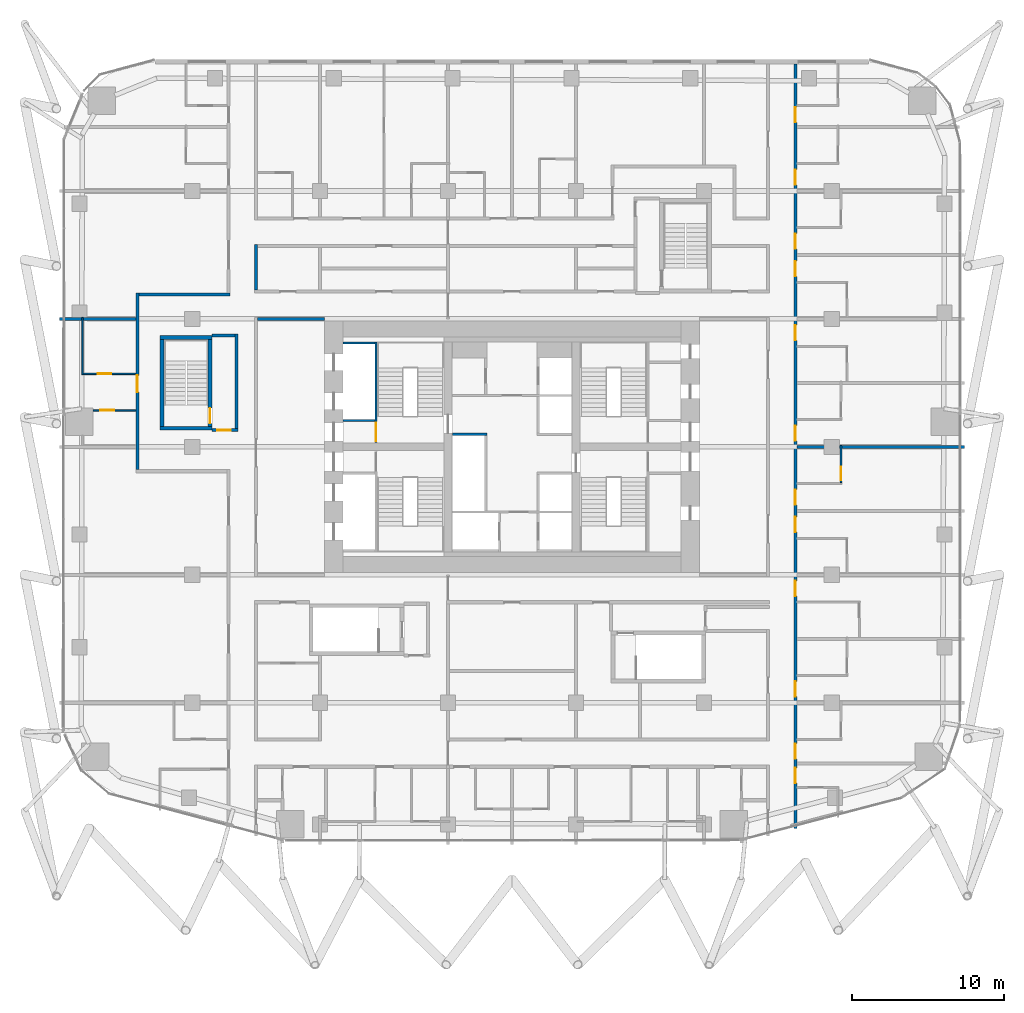
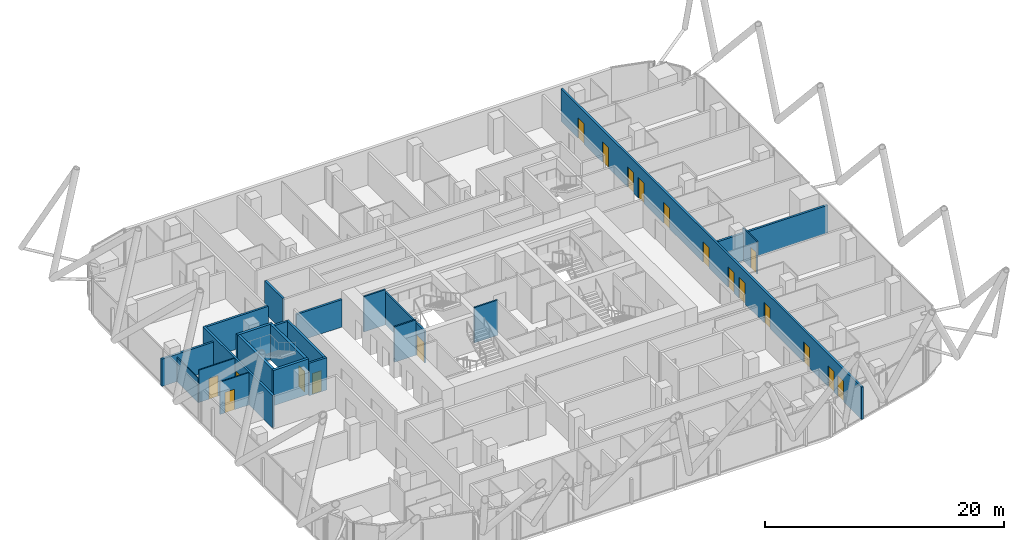
# One storey, part 31 of 36: 22 walls, 19 doors, 19 openings.
"""IFC4 building model written with IfcOpenShell, lengths in metres."""

from ifc_helpers import new_model, si_unit, direction, frame, frame_2d, origin, place, context, subcontext, project, spatial, rectangle, extrude, material, layer, layer_set, type_object, element, fill, save


model = new_model("IFC4")

# Units and contexts
model_context = context("Model", 3, precision=1e-05, world=origin(), true_north=direction((0.0, 1.0)))
body_context = subcontext(model_context, "Body", "Model", "MODEL_VIEW")
ifc_project = project(units=[si_unit("LENGTHUNIT", "METRE"), si_unit("AREAUNIT", "SQUARE_METRE"), si_unit("VOLUMEUNIT", "CUBIC_METRE"), si_unit("PLANEANGLEUNIT", "RADIAN"), si_unit("MASSUNIT", "GRAM", prefix="KILO")], contexts=[model_context])

# Site, building, storey
site_placement = place(None, origin())
site = spatial("IfcSite", under=ifc_project, at=site_placement, CompositionType="ELEMENT")
building_placement = place(site_placement, origin())
building = spatial("IfcBuilding", under=site, at=building_placement, Name="Marenta Gate Hotel Tower", CompositionType="ELEMENT")
storey_placement = place(building_placement, frame((0.0, 0.0, 83.300048828125)))
storey = spatial("IfcBuildingStorey", under=building, at=storey_placement, Name="L19", CompositionType="ELEMENT", Elevation=83.300048828125)

# Walls
ifc_material_1 = material(Name="Concrete blockwork", Category="masonry")
ifc_layer_1 = layer(ifc_material_1, 0.199951171875)
ifc_layer_set_1 = layer_set([ifc_layer_1], Name="Concrete blockwork")
wall_type_1 = type_object("IfcWallType", Name="Core boundary wall 200 REI 180", PredefinedType="PARTITIONING", material=ifc_layer_set_1)
wall_1_placement = place(storey_placement, frame((-16.699951171875, 16.800048828125, 0.0), z_axis=(0.0, 0.0, 1.0), x_axis=(1.0, 0.0, 0.0)))
element("IfcWall", 1, at=wall_1_placement, inside=storey, type_object=wall_type_1, Name="L19-CP-EW-WN", PredefinedType="PARTITIONING", context=body_context, shape_type="SweptSolid", body=[
    extrude(rectangle(XDim=4.39990234375, YDim=0.199951171875, at=frame_2d((2.199951171875, 0.0))), origin(), (0.0, 0.0, 1.0), 2.800048828125),
])
ifc_material_2 = material(Name="Concrete C40", Category="concrete")
ifc_layer_2 = layer(ifc_material_2, 0.14990234375)
ifc_layer_set_2 = layer_set([ifc_layer_2], Name="Concrete C40")
wall_type_2 = type_object("IfcWallType", Name="Core shaft wall 150 REI 180", PredefinedType="SHEAR", material=ifc_layer_set_2)
for number, where, z_axis, x_axis, name in (
    (2, (-11.10009765625, 10.125, 0.0), (0.0, 0.0, 1.0), (1.0, 0.0, 0.0), "L19-SHF-SW-WN-2"),
    (3, (-11.10009765625, 15.22509765625, 0.0), (0.0, 0.0, 1.0), (1.0, 0.0, 0.0), "L19-SHF-SW-WN-5"),
):
    element("IfcWall", number, at=place(storey_placement, frame(where, z_axis=z_axis, x_axis=x_axis)), inside=storey, type_object=wall_type_2, Name=name, PredefinedType="SHEAR", context=body_context, shape_type="SweptSolid", body=[
        extrude(rectangle(XDim=2.10009765625, YDim=0.14990234375, at=frame_2d((1.050048828125, 0.0))), origin(), (0.0, 0.0, 1.0), 3.599853515625),
    ])
wall_2_placement = place(storey_placement, frame((-3.89990234375, 9.22509765625, 0.0), z_axis=(0.0, 0.0, 1.0), x_axis=(1.0, 0.0, 0.0)))
element("IfcWall", 4, at=wall_2_placement, inside=storey, type_object=wall_type_2, Name="L19-SHF-CW-W-sep", PredefinedType="SHEAR", context=body_context, shape_type="SweptSolid", body=[
    extrude(rectangle(XDim=2.25, YDim=0.14990234375, at=frame_2d((1.125, 0.0))), origin(), (0.0, 0.0, 1.0), 3.599853515625),
])

# Wall, opening, door
ifc_material_3 = material(Name="Concrete C40", Category="concrete")
ifc_layer_3 = layer(ifc_material_3, 0.14990234375)
ifc_layer_set_3 = layer_set([ifc_layer_3], Name="Concrete C40")
wall_type_3 = type_object("IfcWallType", Name="Core stair enclosure wall 150 REI 180", PredefinedType="SHEAR", material=ifc_layer_set_3)
wall_3_placement = place(storey_placement, frame((-8.925048828125, 8.699951171875, 0.0), z_axis=(0.0, 0.0, 1.0), x_axis=(0.0, 1.0, 0.0)))
wall_3 = element("IfcWall", 5, at=wall_3_placement, inside=storey, type_object=wall_type_3, Name="L19-SHF-SW-WN-3", PredefinedType="SHEAR", context=body_context, shape_type="SweptSolid", body=[
    extrude(rectangle(XDim=6.60009765625, YDim=0.14990234375, at=frame_2d((3.300048828125, 0.0))), origin(), (0.0, 0.0, 1.0), 3.300048828125),
])
opening_1_placement = place(wall_3_placement, frame((0.074951171875, 0.0, 0.0)))
opening_1 = element("IfcOpeningElement", 6, at=opening_1_placement, cuts=wall_3, Name="Opening SD-WN", PredefinedType="OPENING", context=body_context, shape_type="SweptSolid", body=[
    extrude(rectangle(XDim=1.199951171875, YDim=2.10009765625, at=frame_2d((0.60009765625, 1.050048828125))), frame((0.0, 0.074951171875, 0.0), z_axis=(0.0, -1.0, 0.0), x_axis=(1.0, 0.0, 0.0)), (0.0, 0.0, 1.0), 0.14990234375),
])
ifc_material_4 = material(Name="Steel", Category="steel")
door_type_1 = type_object("IfcDoorType", Name="Core stair door 1200x2100 FD60", OperationType="SINGLE_SWING_LEFT", PredefinedType="DOOR", material=ifc_material_4)
door_1_placement = place(opening_1_placement, origin())
door_1 = element("IfcDoor", 7, at=door_1_placement, inside=storey, type_object=door_type_1, Name="SD-WN", OperationType="SINGLE_SWING_LEFT", OverallHeight=2.10009765625, OverallWidth=1.199951171875, PredefinedType="DOOR", context=body_context, shape_type="SweptSolid", body=[
    extrude(rectangle(XDim=1.199951171875, YDim=2.10009765625, at=frame_2d((0.60009765625, 1.050048828125))), frame((0.0, 0.02490234375, 0.0), z_axis=(0.0, -1.0, 0.0), x_axis=(1.0, 0.0, 0.0)), (0.0, 0.0, 1.0), 0.050048828125),
])
fill(opening_1, door_1)

# Walls
ifc_material_5 = material(Name="Concrete C40", Category="concrete")
ifc_layer_4 = layer(ifc_material_5, 0.25)
ifc_layer_set_4 = layer_set([ifc_layer_4], Name="Concrete C40")
wall_type_4 = type_object("IfcWallType", Name="Remote stair enclosure wall 250 REI 180", PredefinedType="SHEAR", material=ifc_layer_set_4)
for number, where, z_axis, x_axis, name in (
    (8, (-23.10009765625, 9.625, 0.099853515625), (0.0, 0.0, 1.0), (1.0, 0.0, 0.0), "L19-RS-Z1-3-W1"),
    (9, (-23.10009765625, 15.574951171875, 0.099853515625), (0.0, 0.0, 1.0), (1.0, 0.0, 0.0), "L19-RS-Z1-3-W2"),
):
    element("IfcWall", number, at=place(storey_placement, frame(where, z_axis=z_axis, x_axis=x_axis)), inside=storey, type_object=wall_type_4, Name=name, PredefinedType="SHEAR", context=body_context, shape_type="SweptSolid", body=[
        extrude(rectangle(XDim=3.400146484375, YDim=0.25, at=frame_2d((1.7001953125, 0.0))), origin(), (0.0, 0.0, 1.0), 3.60009765625),
    ])
wall_4_placement = place(storey_placement, frame((-22.97509765625, 9.75, 0.099853515625), z_axis=(0.0, 0.0, 1.0), x_axis=(0.0, 1.0, 0.0)))
element("IfcWall", 10, at=wall_4_placement, inside=storey, type_object=wall_type_4, Name="L19-RS-Z1-3-W3", PredefinedType="SHEAR", context=body_context, shape_type="SweptSolid", body=[
    extrude(rectangle(XDim=5.699951171875, YDim=0.25, at=frame_2d((2.85009765625, 0.0))), origin(), (0.0, 0.0, 1.0), 3.60009765625),
])

# Wall, opening, door
wall_5_placement = place(storey_placement, frame((-19.824951171875, 9.75, 0.099853515625), z_axis=(0.0, 0.0, 1.0), x_axis=(0.0, 1.0, 0.0)))
wall_5 = element("IfcWall", 11, at=wall_5_placement, inside=storey, type_object=wall_type_4, Name="L19-RS-Z1-3-W4", PredefinedType="SHEAR", context=body_context, shape_type="SweptSolid", body=[
    extrude(rectangle(XDim=5.699951171875, YDim=0.25, at=frame_2d((2.85009765625, 0.0))), origin(), (0.0, 0.0, 1.0), 3.60009765625),
])
opening_2_placement = place(wall_5_placement, frame((0.199951171875, 0.0, 0.0)))
opening_2 = element("IfcOpeningElement", 12, at=opening_2_placement, cuts=wall_5, Name="Opening VD", PredefinedType="OPENING", context=body_context, shape_type="SweptSolid", body=[
    extrude(rectangle(XDim=1.0, YDim=2.10009765625, at=frame_2d((0.5, 1.050048828125))), frame((0.0, 0.125, 0.0), z_axis=(0.0, -1.0, 0.0), x_axis=(1.0, 0.0, 0.0)), (0.0, 0.0, 1.0), 0.25),
])
ifc_material_6 = material(Name="Steel", Category="steel")
door_type_2 = type_object("IfcDoorType", Name="Stair vestibule door 1000x2100 FD60", OperationType="SINGLE_SWING_LEFT", PredefinedType="DOOR", material=ifc_material_6)
door_2_placement = place(opening_2_placement, origin())
door_2 = element("IfcDoor", 13, at=door_2_placement, inside=storey, type_object=door_type_2, Name="VD", OperationType="SINGLE_SWING_LEFT", OverallHeight=2.10009765625, OverallWidth=1.0, PredefinedType="DOOR", context=body_context, shape_type="SweptSolid", body=[
    extrude(rectangle(XDim=1.0, YDim=2.10009765625, at=frame_2d((0.5, 1.050048828125))), frame((0.0, 0.02490234375, 0.0), z_axis=(0.0, -1.0, 0.0), x_axis=(1.0, 0.0, 0.0)), (0.0, 0.0, 1.0), 0.050048828125),
])
fill(opening_2, door_2)

# Wall
ifc_material_7 = material(Name="Concrete blockwork", Category="masonry")
ifc_layer_5 = layer(ifc_material_7, 0.199951171875)
ifc_layer_set_5 = layer_set([ifc_layer_5], Name="Concrete blockwork")
wall_type_5 = type_object("IfcWallType", Name="Room corridor wall 200 EI 120", PredefinedType="PARTITIONING", material=ifc_layer_set_5)
wall_6_placement = place(storey_placement, frame((-16.800048828125, 18.699951171875, 0.0), z_axis=(0.0, 0.0, 1.0), x_axis=(0.0, 1.0, 0.0)))
element("IfcWall", 14, at=wall_6_placement, inside=storey, type_object=wall_type_5, Name="L19-PTN-W109", PredefinedType="PARTITIONING", context=body_context, shape_type="SweptSolid", body=[
    extrude(rectangle(XDim=3.0, YDim=0.199951171875, at=frame_2d((1.5, 0.0))), origin(), (0.0, 0.0, 1.0), 3.300048828125),
])

# Wall, openings, doors
ifc_material_8 = material(Name="Gypsum board on steel stud", Category="steel")
ifc_layer_6 = layer(ifc_material_8, 0.199951171875)
ifc_layer_set_6 = layer_set([ifc_layer_6], Name="Gypsum board on steel stud")
wall_type_6 = type_object("IfcWallType", Name="Room corridor wall 200 EI 60", PredefinedType="PARTITIONING", material=ifc_layer_set_6)
wall_7_placement = place(storey_placement, frame((18.60009765625, -16.6650390625, 0.0), z_axis=(0.0, 0.0, 1.0), x_axis=(0.0, 1.0, 0.0)))
wall_7 = element("IfcWall", 15, at=wall_7_placement, inside=storey, type_object=wall_type_6, Name="L19-PTN-W015", PredefinedType="PARTITIONING", context=body_context, shape_type="SweptSolid", body=[
    extrude(rectangle(XDim=50.205078125, YDim=0.199951171875, at=frame_2d((25.1025390625, 0.0))), origin(), (0.0, 0.0, 1.0), 3.300048828125),
])
opening_3_placement = place(wall_7_placement, frame((2.990966796875, 0.0, 0.0)))
opening_3 = element("IfcOpeningElement", 16, at=opening_3_placement, cuts=wall_7, Name="Opening G07-07", PredefinedType="OPENING", context=body_context, shape_type="SweptSolid", body=[
    extrude(rectangle(XDim=1.0, YDim=2.10009765625, at=frame_2d((0.5, 1.050048828125))), frame((0.0, 0.10009765625, 0.0), z_axis=(0.0, -1.0, 0.0), x_axis=(1.0, 0.0, 0.0)), (0.0, 0.0, 1.0), 0.199951171875),
])
opening_4_placement = place(wall_7_placement, frame((4.573974609375, 0.0, 0.0)))
opening_4 = element("IfcOpeningElement", 17, at=opening_4_placement, cuts=wall_7, Name="Opening G07-09", PredefinedType="OPENING", context=body_context, shape_type="SweptSolid", body=[
    extrude(rectangle(XDim=1.0, YDim=2.10009765625, at=frame_2d((0.5, 1.050048828125))), frame((0.0, 0.10009765625, 0.0), z_axis=(0.0, -1.0, 0.0), x_axis=(1.0, 0.0, 0.0)), (0.0, 0.0, 1.0), 0.199951171875),
])
opening_5_placement = place(wall_7_placement, frame((8.6650390625, 0.0, 0.0)))
opening_5 = element("IfcOpeningElement", 18, at=opening_5_placement, cuts=wall_7, Name="Opening G07-11", PredefinedType="OPENING", context=body_context, shape_type="SweptSolid", body=[
    extrude(rectangle(XDim=1.0, YDim=2.10009765625, at=frame_2d((0.5, 1.050048828125))), frame((0.0, 0.10009765625, 0.0), z_axis=(0.0, -1.0, 0.0), x_axis=(1.0, 0.0, 0.0)), (0.0, 0.0, 1.0), 0.199951171875),
])
opening_6_placement = place(wall_7_placement, frame((15.264892578125, 0.0, 0.0)))
opening_6 = element("IfcOpeningElement", 19, at=opening_6_placement, cuts=wall_7, Name="Opening G07-13", PredefinedType="OPENING", context=body_context, shape_type="SweptSolid", body=[
    extrude(rectangle(XDim=1.0, YDim=2.10009765625, at=frame_2d((0.5, 1.050048828125))), frame((0.0, 0.10009765625, 0.0), z_axis=(0.0, -1.0, 0.0), x_axis=(1.0, 0.0, 0.0)), (0.0, 0.0, 1.0), 0.199951171875),
])
opening_7_placement = place(wall_7_placement, frame((19.465087890625, 0.0, 0.0)))
opening_7 = element("IfcOpeningElement", 20, at=opening_7_placement, cuts=wall_7, Name="Opening G07-15", PredefinedType="OPENING", context=body_context, shape_type="SweptSolid", body=[
    extrude(rectangle(XDim=1.0, YDim=2.10009765625, at=frame_2d((0.5, 1.050048828125))), frame((0.0, 0.10009765625, 0.0), z_axis=(0.0, -1.0, 0.0), x_axis=(1.0, 0.0, 0.0)), (0.0, 0.0, 1.0), 0.199951171875),
])
opening_8_placement = place(wall_7_placement, frame((21.264892578125, 0.0, 0.0)))
opening_8 = element("IfcOpeningElement", 21, at=opening_8_placement, cuts=wall_7, Name="Opening G07-17", PredefinedType="OPENING", context=body_context, shape_type="SweptSolid", body=[
    extrude(rectangle(XDim=1.0, YDim=2.10009765625, at=frame_2d((0.5, 1.050048828125))), frame((0.0, 0.10009765625, 0.0), z_axis=(0.0, -1.0, 0.0), x_axis=(1.0, 0.0, 0.0)), (0.0, 0.0, 1.0), 0.199951171875),
])
opening_9_placement = place(wall_7_placement, frame((25.465087890625, 0.0, 0.0)))
opening_9 = element("IfcOpeningElement", 22, at=opening_9_placement, cuts=wall_7, Name="Opening G07-19", PredefinedType="OPENING", context=body_context, shape_type="SweptSolid", body=[
    extrude(rectangle(XDim=1.0, YDim=2.10009765625, at=frame_2d((0.5, 1.050048828125))), frame((0.0, 0.10009765625, 0.0), z_axis=(0.0, -1.0, 0.0), x_axis=(1.0, 0.0, 0.0)), (0.0, 0.0, 1.0), 0.199951171875),
])
opening_10_placement = place(wall_7_placement, frame((32.06494140625, 0.0, 0.0)))
opening_10 = element("IfcOpeningElement", 23, at=opening_10_placement, cuts=wall_7, Name="Opening G07-21", PredefinedType="OPENING", context=body_context, shape_type="SweptSolid", body=[
    extrude(rectangle(XDim=1.0, YDim=2.10009765625, at=frame_2d((0.5, 1.050048828125))), frame((0.0, 0.10009765625, 0.0), z_axis=(0.0, -1.0, 0.0), x_axis=(1.0, 0.0, 0.0)), (0.0, 0.0, 1.0), 0.199951171875),
])
opening_11_placement = place(wall_7_placement, frame((36.264892578125, 0.0, 0.0)))
opening_11 = element("IfcOpeningElement", 24, at=opening_11_placement, cuts=wall_7, Name="Opening G07-23", PredefinedType="OPENING", context=body_context, shape_type="SweptSolid", body=[
    extrude(rectangle(XDim=1.0, YDim=2.10009765625, at=frame_2d((0.5, 1.050048828125))), frame((0.0, 0.10009765625, 0.0), z_axis=(0.0, -1.0, 0.0), x_axis=(1.0, 0.0, 0.0)), (0.0, 0.0, 1.0), 0.199951171875),
])
opening_12_placement = place(wall_7_placement, frame((38.06494140625, 0.0, 0.0)))
opening_12 = element("IfcOpeningElement", 25, at=opening_12_placement, cuts=wall_7, Name="Opening G07-25", PredefinedType="OPENING", context=body_context, shape_type="SweptSolid", body=[
    extrude(rectangle(XDim=1.0, YDim=2.10009765625, at=frame_2d((0.5, 1.050048828125))), frame((0.0, 0.10009765625, 0.0), z_axis=(0.0, -1.0, 0.0), x_axis=(1.0, 0.0, 0.0)), (0.0, 0.0, 1.0), 0.199951171875),
])
opening_13_placement = place(wall_7_placement, frame((42.264892578125, 0.0, 0.0)))
opening_13 = element("IfcOpeningElement", 26, at=opening_13_placement, cuts=wall_7, Name="Opening G07-27", PredefinedType="OPENING", context=body_context, shape_type="SweptSolid", body=[
    extrude(rectangle(XDim=1.0, YDim=2.10009765625, at=frame_2d((0.5, 1.050048828125))), frame((0.0, 0.10009765625, 0.0), z_axis=(0.0, -1.0, 0.0), x_axis=(1.0, 0.0, 0.0)), (0.0, 0.0, 1.0), 0.199951171875),
])
opening_14_placement = place(wall_7_placement, frame((46.364990234375, 0.0, 0.0)))
opening_14 = element("IfcOpeningElement", 27, at=opening_14_placement, cuts=wall_7, Name="Opening G07-29", PredefinedType="OPENING", context=body_context, shape_type="SweptSolid", body=[
    extrude(rectangle(XDim=1.0, YDim=2.10009765625, at=frame_2d((0.5, 1.050048828125))), frame((0.0, 0.10009765625, 0.0), z_axis=(0.0, -1.0, 0.0), x_axis=(1.0, 0.0, 0.0)), (0.0, 0.0, 1.0), 0.199951171875),
])
ifc_material_9 = material(Name="Timber door leaf", Category="wood")
door_type_3 = type_object("IfcDoorType", Name="Guest room door 1000x2100 EI 30", OperationType="NOTDEFINED", PredefinedType="DOOR", material=ifc_material_9)
door_3_placement = place(opening_3_placement, origin())
door_3 = element("IfcDoor", 28, at=door_3_placement, inside=storey, type_object=door_type_3, Name="L19-PD-D007", OperationType="SINGLE_SWING_LEFT", OverallHeight=2.10009765625, OverallWidth=1.0, PredefinedType="DOOR", context=body_context, shape_type="SweptSolid", body=[
    extrude(rectangle(XDim=1.0, YDim=2.10009765625, at=frame_2d((0.5, 1.050048828125))), frame((0.0, 0.02490234375, 0.0), z_axis=(0.0, -1.0, 0.0), x_axis=(1.0, 0.0, 0.0)), (0.0, 0.0, 1.0), 0.050048828125),
])
fill(opening_3, door_3)
door_4_placement = place(opening_4_placement, origin())
door_4 = element("IfcDoor", 29, at=door_4_placement, inside=storey, type_object=door_type_3, Name="L19-PD-D009", OperationType="SINGLE_SWING_LEFT", OverallHeight=2.10009765625, OverallWidth=1.0, PredefinedType="DOOR", context=body_context, shape_type="SweptSolid", body=[
    extrude(rectangle(XDim=1.0, YDim=2.10009765625, at=frame_2d((0.5, 1.050048828125))), frame((0.0, 0.02490234375, 0.0), z_axis=(0.0, -1.0, 0.0), x_axis=(1.0, 0.0, 0.0)), (0.0, 0.0, 1.0), 0.050048828125),
])
fill(opening_4, door_4)
door_5_placement = place(opening_5_placement, origin())
door_5 = element("IfcDoor", 30, at=door_5_placement, inside=storey, type_object=door_type_3, Name="L19-PD-D011", OperationType="SINGLE_SWING_LEFT", OverallHeight=2.10009765625, OverallWidth=1.0, PredefinedType="DOOR", context=body_context, shape_type="SweptSolid", body=[
    extrude(rectangle(XDim=1.0, YDim=2.10009765625, at=frame_2d((0.5, 1.050048828125))), frame((0.0, 0.02490234375, 0.0), z_axis=(0.0, -1.0, 0.0), x_axis=(1.0, 0.0, 0.0)), (0.0, 0.0, 1.0), 0.050048828125),
])
fill(opening_5, door_5)
door_6_placement = place(opening_6_placement, origin())
door_6 = element("IfcDoor", 31, at=door_6_placement, inside=storey, type_object=door_type_3, Name="L19-PD-D013", OperationType="SINGLE_SWING_LEFT", OverallHeight=2.10009765625, OverallWidth=1.0, PredefinedType="DOOR", context=body_context, shape_type="SweptSolid", body=[
    extrude(rectangle(XDim=1.0, YDim=2.10009765625, at=frame_2d((0.5, 1.050048828125))), frame((0.0, 0.02490234375, 0.0), z_axis=(0.0, -1.0, 0.0), x_axis=(1.0, 0.0, 0.0)), (0.0, 0.0, 1.0), 0.050048828125),
])
fill(opening_6, door_6)
door_7_placement = place(opening_7_placement, origin())
door_7 = element("IfcDoor", 32, at=door_7_placement, inside=storey, type_object=door_type_3, Name="L19-PD-D015", OperationType="SINGLE_SWING_LEFT", OverallHeight=2.10009765625, OverallWidth=1.0, PredefinedType="DOOR", context=body_context, shape_type="SweptSolid", body=[
    extrude(rectangle(XDim=1.0, YDim=2.10009765625, at=frame_2d((0.5, 1.050048828125))), frame((0.0, 0.02490234375, 0.0), z_axis=(0.0, -1.0, 0.0), x_axis=(1.0, 0.0, 0.0)), (0.0, 0.0, 1.0), 0.050048828125),
])
fill(opening_7, door_7)
door_8_placement = place(opening_8_placement, origin())
door_8 = element("IfcDoor", 33, at=door_8_placement, inside=storey, type_object=door_type_3, Name="L19-PD-D017", OperationType="SINGLE_SWING_LEFT", OverallHeight=2.10009765625, OverallWidth=1.0, PredefinedType="DOOR", context=body_context, shape_type="SweptSolid", body=[
    extrude(rectangle(XDim=1.0, YDim=2.10009765625, at=frame_2d((0.5, 1.050048828125))), frame((0.0, 0.02490234375, 0.0), z_axis=(0.0, -1.0, 0.0), x_axis=(1.0, 0.0, 0.0)), (0.0, 0.0, 1.0), 0.050048828125),
])
fill(opening_8, door_8)
door_9_placement = place(opening_9_placement, origin())
door_9 = element("IfcDoor", 34, at=door_9_placement, inside=storey, type_object=door_type_3, Name="L19-PD-D019", OperationType="SINGLE_SWING_LEFT", OverallHeight=2.10009765625, OverallWidth=1.0, PredefinedType="DOOR", context=body_context, shape_type="SweptSolid", body=[
    extrude(rectangle(XDim=1.0, YDim=2.10009765625, at=frame_2d((0.5, 1.050048828125))), frame((0.0, 0.02490234375, 0.0), z_axis=(0.0, -1.0, 0.0), x_axis=(1.0, 0.0, 0.0)), (0.0, 0.0, 1.0), 0.050048828125),
])
fill(opening_9, door_9)
door_10_placement = place(opening_10_placement, origin())
door_10 = element("IfcDoor", 35, at=door_10_placement, inside=storey, type_object=door_type_3, Name="L19-PD-D021", OperationType="SINGLE_SWING_LEFT", OverallHeight=2.10009765625, OverallWidth=1.0, PredefinedType="DOOR", context=body_context, shape_type="SweptSolid", body=[
    extrude(rectangle(XDim=1.0, YDim=2.10009765625, at=frame_2d((0.5, 1.050048828125))), frame((0.0, 0.02490234375, 0.0), z_axis=(0.0, -1.0, 0.0), x_axis=(1.0, 0.0, 0.0)), (0.0, 0.0, 1.0), 0.050048828125),
])
fill(opening_10, door_10)
door_11_placement = place(opening_11_placement, origin())
door_11 = element("IfcDoor", 36, at=door_11_placement, inside=storey, type_object=door_type_3, Name="L19-PD-D023", OperationType="SINGLE_SWING_LEFT", OverallHeight=2.10009765625, OverallWidth=1.0, PredefinedType="DOOR", context=body_context, shape_type="SweptSolid", body=[
    extrude(rectangle(XDim=1.0, YDim=2.10009765625, at=frame_2d((0.5, 1.050048828125))), frame((0.0, 0.02490234375, 0.0), z_axis=(0.0, -1.0, 0.0), x_axis=(1.0, 0.0, 0.0)), (0.0, 0.0, 1.0), 0.050048828125),
])
fill(opening_11, door_11)
door_12_placement = place(opening_12_placement, origin())
door_12 = element("IfcDoor", 37, at=door_12_placement, inside=storey, type_object=door_type_3, Name="L19-PD-D025", OperationType="SINGLE_SWING_LEFT", OverallHeight=2.10009765625, OverallWidth=1.0, PredefinedType="DOOR", context=body_context, shape_type="SweptSolid", body=[
    extrude(rectangle(XDim=1.0, YDim=2.10009765625, at=frame_2d((0.5, 1.050048828125))), frame((0.0, 0.02490234375, 0.0), z_axis=(0.0, -1.0, 0.0), x_axis=(1.0, 0.0, 0.0)), (0.0, 0.0, 1.0), 0.050048828125),
])
fill(opening_12, door_12)
door_13_placement = place(opening_13_placement, origin())
door_13 = element("IfcDoor", 38, at=door_13_placement, inside=storey, type_object=door_type_3, Name="L19-PD-D027", OperationType="SINGLE_SWING_LEFT", OverallHeight=2.10009765625, OverallWidth=1.0, PredefinedType="DOOR", context=body_context, shape_type="SweptSolid", body=[
    extrude(rectangle(XDim=1.0, YDim=2.10009765625, at=frame_2d((0.5, 1.050048828125))), frame((0.0, 0.02490234375, 0.0), z_axis=(0.0, -1.0, 0.0), x_axis=(1.0, 0.0, 0.0)), (0.0, 0.0, 1.0), 0.050048828125),
])
fill(opening_13, door_13)
door_14_placement = place(opening_14_placement, origin())
door_14 = element("IfcDoor", 39, at=door_14_placement, inside=storey, type_object=door_type_3, Name="L19-PD-D029", OperationType="SINGLE_SWING_LEFT", OverallHeight=2.10009765625, OverallWidth=1.0, PredefinedType="DOOR", context=body_context, shape_type="SweptSolid", body=[
    extrude(rectangle(XDim=1.0, YDim=2.10009765625, at=frame_2d((0.5, 1.050048828125))), frame((0.0, 0.02490234375, 0.0), z_axis=(0.0, -1.0, 0.0), x_axis=(1.0, 0.0, 0.0)), (0.0, 0.0, 1.0), 0.050048828125),
])
fill(opening_14, door_14)

# Wall
wall_8_placement = place(storey_placement, frame((-24.5, 18.39990234375, 0.0), z_axis=(0.0, 0.0, 1.0), x_axis=(1.0, 0.0, 0.0)))
element("IfcWall", 40, at=wall_8_placement, inside=storey, type_object=wall_type_6, Name="L19-PTN-W114", PredefinedType="PARTITIONING", context=body_context, shape_type="SweptSolid", body=[
    extrude(rectangle(XDim=6.0, YDim=0.199951171875, at=frame_2d((3.0, 0.0))), origin(), (0.0, 0.0, 1.0), 3.300048828125),
])

# Wall, opening, door
wall_9_placement = place(storey_placement, frame((-24.60009765625, 6.89990234375, 0.0), z_axis=(0.0, 0.0, 1.0), x_axis=(0.0, 1.0, 0.0)))
wall_9 = element("IfcWall", 41, at=wall_9_placement, inside=storey, type_object=wall_type_6, Name="L19-PTN-W133", PredefinedType="PARTITIONING", context=body_context, shape_type="SweptSolid", body=[
    extrude(rectangle(XDim=11.60009765625, YDim=0.199951171875, at=frame_2d((5.800048828125, 0.0))), origin(), (0.0, 0.0, 1.0), 3.300048828125),
])
opening_15_placement = place(wall_9_placement, frame((5.10009765625, 0.0, 0.0)))
opening_15 = element("IfcOpeningElement", 42, at=opening_15_placement, cuts=wall_9, Name="Opening G07-56", PredefinedType="OPENING", context=body_context, shape_type="SweptSolid", body=[
    extrude(rectangle(XDim=1.10009765625, YDim=2.10009765625, at=frame_2d((0.550048828125, 1.050048828125))), frame((0.0, 0.10009765625, 0.0), z_axis=(0.0, -1.0, 0.0), x_axis=(1.0, 0.0, 0.0)), (0.0, 0.0, 1.0), 0.199951171875),
])
ifc_material_10 = material(Name="Timber door leaf", Category="wood")
door_type_4 = type_object("IfcDoorType", Name="Guest room door 1100x2100 EI 30", OperationType="NOTDEFINED", PredefinedType="DOOR", material=ifc_material_10)
door_15_placement = place(opening_15_placement, origin())
door_15 = element("IfcDoor", 43, at=door_15_placement, inside=storey, type_object=door_type_4, Name="L19-PD-D056", OperationType="SINGLE_SWING_RIGHT", OverallHeight=2.10009765625, OverallWidth=1.10009765625, PredefinedType="DOOR", context=body_context, shape_type="SweptSolid", body=[
    extrude(rectangle(XDim=1.10009765625, YDim=2.10009765625, at=frame_2d((0.550048828125, 1.050048828125))), frame((0.0, 0.02490234375, 0.0), z_axis=(0.0, -1.0, 0.0), x_axis=(1.0, 0.0, 0.0)), (0.0, 0.0, 1.0), 0.050048828125),
])
fill(opening_15, door_15)

ifc_material_11 = material(Name="Concrete blockwork", Category="masonry")
ifc_layer_7 = layer(ifc_material_11, 0.199951171875)
ifc_layer_set_7 = layer_set([ifc_layer_7], Name="Concrete blockwork")
wall_type_7 = type_object("IfcWallType", Name="Room corridor wall 200 REI 180", PredefinedType="PARTITIONING", material=ifc_layer_set_7)
wall_10_placement = place(storey_placement, frame((-19.699951171875, 9.5, 0.0), z_axis=(0.0, 0.0, 1.0), x_axis=(1.0, 0.0, 0.0)))
wall_10 = element("IfcWall", 44, at=wall_10_placement, inside=storey, type_object=wall_type_7, Name="L19-PTN-W092", PredefinedType="PARTITIONING", context=body_context, shape_type="SweptSolid", body=[
    extrude(rectangle(XDim=1.699951171875, YDim=0.199951171875, at=frame_2d((0.85009765625, 0.0))), origin(), (0.0, 0.0, 1.0), 3.300048828125),
])
opening_16_placement = place(wall_10_placement, frame((0.35009765625, 0.0, 0.0)))
opening_16 = element("IfcOpeningElement", 45, at=opening_16_placement, cuts=wall_10, Name="Opening G07-66", PredefinedType="OPENING", context=body_context, shape_type="SweptSolid", body=[
    extrude(rectangle(XDim=0.89990234375, YDim=2.10009765625, at=frame_2d((0.449951171875, 1.050048828125))), frame((0.0, 0.10009765625, 0.0), z_axis=(0.0, -1.0, 0.0), x_axis=(1.0, 0.0, 0.0)), (0.0, 0.0, 1.0), 0.199951171875),
])
ifc_material_12 = material(Name="Hollow steel door set", Category="steel")
door_type_5 = type_object("IfcDoorType", Name="Stair vestibule door 900x2100 EI 60", OperationType="NOTDEFINED", PredefinedType="DOOR", material=ifc_material_12)
door_16_placement = place(opening_16_placement, origin())
door_16 = element("IfcDoor", 46, at=door_16_placement, inside=storey, type_object=door_type_5, Name="L19-PD-D066", OperationType="SINGLE_SWING_RIGHT", OverallHeight=2.10009765625, OverallWidth=0.89990234375, PredefinedType="DOOR", context=body_context, shape_type="SweptSolid", body=[
    extrude(rectangle(XDim=0.89990234375, YDim=2.10009765625, at=frame_2d((0.449951171875, 1.050048828125))), frame((0.0, 0.02490234375, 0.0), z_axis=(0.0, -1.0, 0.0), x_axis=(1.0, 0.0, 0.0)), (0.0, 0.0, 1.0), 0.050048828125),
])
fill(opening_16, door_16)

# Walls
wall_11_placement = place(storey_placement, frame((-19.699951171875, 15.699951171875, 0.0), z_axis=(0.0, 0.0, 1.0), x_axis=(1.0, 0.0, 0.0)))
element("IfcWall", 47, at=wall_11_placement, inside=storey, type_object=wall_type_7, Name="L19-PTN-W106", PredefinedType="PARTITIONING", context=body_context, shape_type="SweptSolid", body=[
    extrude(rectangle(XDim=1.5, YDim=0.199951171875, at=frame_2d((0.75, 0.0))), origin(), (0.0, 0.0, 1.0), 3.300048828125),
])
wall_12_placement = place(storey_placement, frame((-18.10009765625, 9.60009765625, 0.0), z_axis=(0.0, 0.0, 1.0), x_axis=(0.0, 1.0, 0.0)))
element("IfcWall", 48, at=wall_12_placement, inside=storey, type_object=wall_type_7, Name="L19-PTN-W113", PredefinedType="PARTITIONING", context=body_context, shape_type="SweptSolid", body=[
    extrude(rectangle(XDim=6.199951171875, YDim=0.199951171875, at=frame_2d((3.10009765625, 0.0))), origin(), (0.0, 0.0, 1.0), 3.300048828125),
])

# Wall, opening, door
ifc_material_13 = material(Name="Gypsum board on steel stud", Category="steel")
ifc_layer_8 = layer(ifc_material_13, 0.10009765625)
ifc_layer_set_8 = layer_set([ifc_layer_8], Name="Gypsum board on steel stud")
wall_type_8 = type_object("IfcWallType", Name="Room partition 100", PredefinedType="PARTITIONING", material=ifc_layer_set_8)
wall_13_placement = place(storey_placement, frame((21.60009765625, 6.050048828125, 0.0), z_axis=(0.0, 0.0, 1.0), x_axis=(0.0, 1.0, 0.0)))
wall_13 = element("IfcWall", 49, at=wall_13_placement, inside=storey, type_object=wall_type_8, Name="L19-PTN-W007", PredefinedType="PARTITIONING", context=body_context, shape_type="SweptSolid", body=[
    extrude(rectangle(XDim=2.449951171875, YDim=0.10009765625, at=frame_2d((1.22509765625, 0.0))), origin(), (0.0, 0.0, 1.0), 3.300048828125),
])
opening_17_placement = place(wall_13_placement, frame((0.14990234375, 0.0, 0.0)))
opening_17 = element("IfcOpeningElement", 50, at=opening_17_placement, cuts=wall_13, Name="Opening G07-18", PredefinedType="OPENING", context=body_context, shape_type="SweptSolid", body=[
    extrude(rectangle(XDim=0.89990234375, YDim=2.10009765625, at=frame_2d((0.449951171875, 1.050048828125))), frame((0.0, 0.050048828125, 0.0), z_axis=(0.0, -1.0, 0.0), x_axis=(1.0, 0.0, 0.0)), (0.0, 0.0, 1.0), 0.10009765625),
])
ifc_material_14 = material(Name="Timber door leaf", Category="wood")
door_type_6 = type_object("IfcDoorType", Name="Guest bathroom door 900x2100", OperationType="NOTDEFINED", PredefinedType="DOOR", material=ifc_material_14)
door_17_placement = place(opening_17_placement, origin())
door_17 = element("IfcDoor", 51, at=door_17_placement, inside=storey, type_object=door_type_6, Name="L19-PD-D018", OperationType="SINGLE_SWING_LEFT", OverallHeight=2.10009765625, OverallWidth=0.89990234375, PredefinedType="DOOR", context=body_context, shape_type="SweptSolid", body=[
    extrude(rectangle(XDim=0.89990234375, YDim=2.10009765625, at=frame_2d((0.449951171875, 1.050048828125))), frame((0.0, 0.02490234375, 0.0), z_axis=(0.0, -1.0, 0.0), x_axis=(1.0, 0.0, 0.0)), (0.0, 0.0, 1.0), 0.050048828125),
])
fill(opening_17, door_17)

wall_14_placement = place(storey_placement, frame((-27.5, 10.800048828125, 0.0), z_axis=(0.0, 0.0, 1.0), x_axis=(1.0, 0.0, 0.0)))
wall_14 = element("IfcWall", 52, at=wall_14_placement, inside=storey, type_object=wall_type_8, Name="L19-PTN-W094", PredefinedType="PARTITIONING", context=body_context, shape_type="SweptSolid", body=[
    extrude(rectangle(XDim=2.800048828125, YDim=0.10009765625, at=frame_2d((1.39990234375, 0.0))), origin(), (0.0, 0.0, 1.0), 3.300048828125),
])
opening_18_placement = place(wall_14_placement, frame((0.469970703125, 0.0, 0.0)))
opening_18 = element("IfcOpeningElement", 53, at=opening_18_placement, cuts=wall_14, Name="Opening G07-58", PredefinedType="OPENING", context=body_context, shape_type="SweptSolid", body=[
    extrude(rectangle(XDim=0.89990234375, YDim=2.10009765625, at=frame_2d((0.449951171875, 1.050048828125))), frame((0.0, 0.050048828125, 0.0), z_axis=(0.0, -1.0, 0.0), x_axis=(1.0, 0.0, 0.0)), (0.0, 0.0, 1.0), 0.10009765625),
])
ifc_material_15 = material(Name="Timber door leaf", Category="wood")
door_type_7 = type_object("IfcDoorType", Name="Room inner door 900x2100", OperationType="NOTDEFINED", PredefinedType="DOOR", material=ifc_material_15)
door_18_placement = place(opening_18_placement, origin())
door_18 = element("IfcDoor", 54, at=door_18_placement, inside=storey, type_object=door_type_7, Name="L19-PD-D058", OperationType="SINGLE_SWING_RIGHT", OverallHeight=2.10009765625, OverallWidth=0.89990234375, PredefinedType="DOOR", context=body_context, shape_type="SweptSolid", body=[
    extrude(rectangle(XDim=0.89990234375, YDim=2.10009765625, at=frame_2d((0.449951171875, 1.050048828125))), frame((0.0, 0.02490234375, 0.0), z_axis=(0.0, -1.0, 0.0), x_axis=(1.0, 0.0, 0.0)), (0.0, 0.0, 1.0), 0.050048828125),
])
fill(opening_18, door_18)

wall_15_placement = place(storey_placement, frame((-28.14990234375, 13.199951171875, 0.0), z_axis=(0.0, 0.0, 1.0), x_axis=(1.0, 0.0, 0.0)))
wall_15 = element("IfcWall", 55, at=wall_15_placement, inside=storey, type_object=wall_type_8, Name="L19-PTN-W101", PredefinedType="PARTITIONING", context=body_context, shape_type="SweptSolid", body=[
    extrude(rectangle(XDim=3.449951171875, YDim=0.10009765625, at=frame_2d((1.72509765625, 0.0))), origin(), (0.0, 0.0, 1.0), 3.300048828125),
])
opening_19_placement = place(wall_15_placement, frame((0.93994140625, 0.0, 0.0)))
opening_19 = element("IfcOpeningElement", 56, at=opening_19_placement, cuts=wall_15, Name="Opening G07-57", PredefinedType="OPENING", context=body_context, shape_type="SweptSolid", body=[
    extrude(rectangle(XDim=0.89990234375, YDim=2.10009765625, at=frame_2d((0.449951171875, 1.050048828125))), frame((0.0, 0.050048828125, 0.0), z_axis=(0.0, -1.0, 0.0), x_axis=(1.0, 0.0, 0.0)), (0.0, 0.0, 1.0), 0.10009765625),
])
door_19_placement = place(opening_19_placement, origin())
door_19 = element("IfcDoor", 57, at=door_19_placement, inside=storey, type_object=door_type_6, Name="L19-PD-D057", OperationType="SINGLE_SWING_LEFT", OverallHeight=2.10009765625, OverallWidth=0.89990234375, PredefinedType="DOOR", context=body_context, shape_type="SweptSolid", body=[
    extrude(rectangle(XDim=0.89990234375, YDim=2.10009765625, at=frame_2d((0.449951171875, 1.050048828125))), frame((0.0, 0.02490234375, 0.0), z_axis=(0.0, -1.0, 0.0), x_axis=(1.0, 0.0, 0.0)), (0.0, 0.0, 1.0), 0.050048828125),
])
fill(opening_19, door_19)

# Walls
wall_16_placement = place(storey_placement, frame((-28.199951171875, 13.14990234375, 0.0), z_axis=(0.0, 0.0, 1.0), x_axis=(0.0, 1.0, 0.0)))
element("IfcWall", 58, at=wall_16_placement, inside=storey, type_object=wall_type_8, Name="L19-PTN-W145", PredefinedType="PARTITIONING", context=body_context, shape_type="SweptSolid", body=[
    extrude(rectangle(XDim=3.75, YDim=0.10009765625, at=frame_2d((1.875, 0.0))), origin(), (0.0, 0.0, 1.0), 2.48583984375),
])
ifc_material_16 = material(Name="Gypsum board on steel stud", Category="steel")
ifc_layer_9 = layer(ifc_material_16, 0.199951171875)
ifc_layer_set_9 = layer_set([ifc_layer_9], Name="Gypsum board on steel stud")
wall_type_9 = type_object("IfcWallType", Name="Room party wall 200 EI 60", PredefinedType="PARTITIONING", material=ifc_layer_set_9)
wall_17_placement = place(storey_placement, frame((18.699951171875, 8.39990234375, 0.0), z_axis=(0.0, 0.0, 1.0), x_axis=(1.0, 0.0, 0.0)))
element("IfcWall", 59, at=wall_17_placement, inside=storey, type_object=wall_type_9, Name="L19-PTN-W090", PredefinedType="PARTITIONING", context=body_context, shape_type="SweptSolid", body=[
    extrude(rectangle(XDim=11.0, YDim=0.199951171875, at=frame_2d((5.5, 0.0))), origin(), (0.0, 0.0, 1.0), 2.800048828125),
])
wall_18_placement = place(storey_placement, frame((-29.699951171875, 16.800048828125, 0.0), z_axis=(0.0, 0.0, 1.0), x_axis=(1.0, 0.0, 0.0)))
element("IfcWall", 60, at=wall_18_placement, inside=storey, type_object=wall_type_9, Name="L19-PTN-W111", PredefinedType="PARTITIONING", context=body_context, shape_type="SweptSolid", body=[
    extrude(rectangle(XDim=5.0, YDim=0.199951171875, at=frame_2d((2.5, 0.0))), origin(), (0.0, 0.0, 1.0), 2.800048828125),
])

save(model, "model.ifc")
